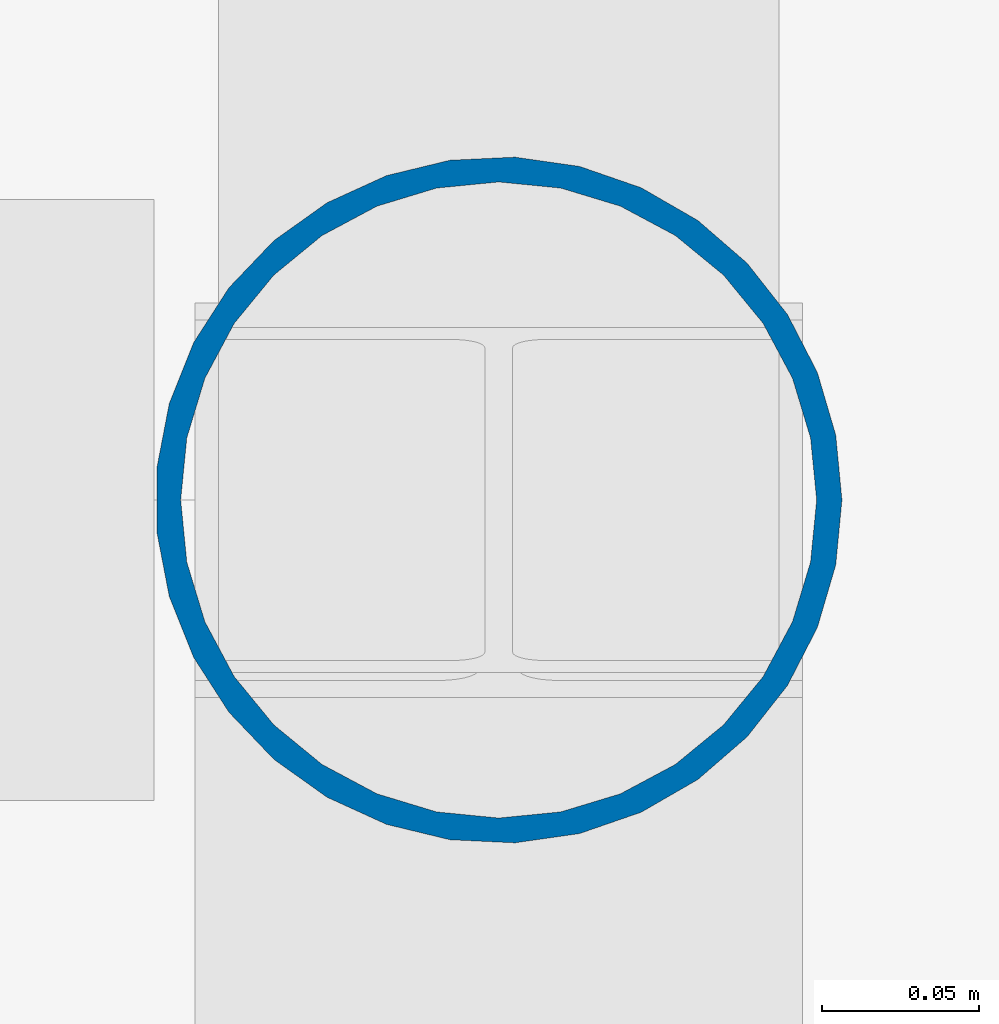
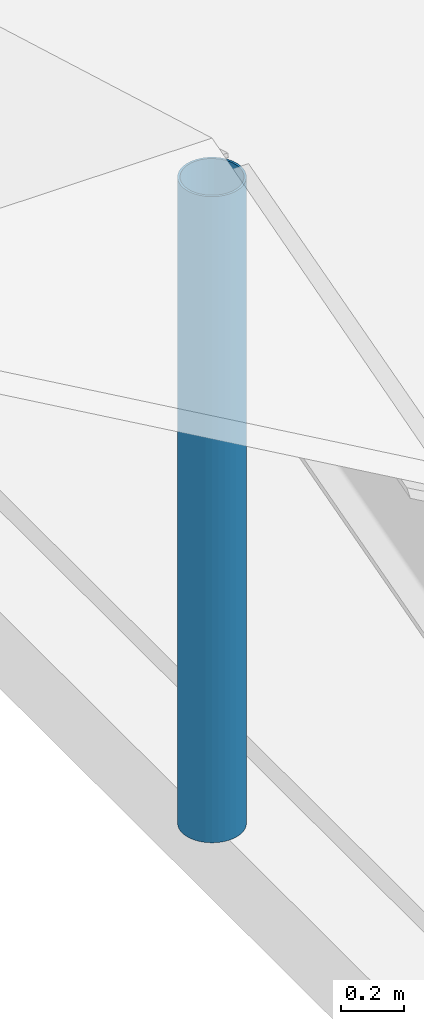
# One storey, part 2 of 15: 1 column.
"""IFC4 building model written with IfcOpenShell, lengths in metres."""

import ifcopenshell
import ifcopenshell.guid

model = None  # the IFC model being written
_history = None  # IfcOwnerHistory: only IFC2X3 demands one
_inside = {}  # id of a spatial element -> (the spatial element, [elements in it])
_under = {}  # id of a project, library or spatial element -> (it, [spatial elements below it])
_declared = {}  # id of a project -> (the project, [libraries it declares])
_typed = {}  # id of a type object -> (the type object, [elements of that type])
_made_of = {}  # id of a material, layer set ... -> (it, [elements and type objects made of it])


def new_model(schema):
    """Start an empty IFC model of exactly this schema.

    Asked for "IFC4X3", IfcOpenShell would pick the latest addendum, in which some entities
    have other attributes; the version numbers below select the first issue.
    IFC2X3 requires an IfcOwnerHistory on every rooted entity: one is made here for all.
    """
    global model, _history
    if schema == "IFC4X3":
        model = ifcopenshell.file(schema_version=(4, 3, 0, 0))
    else:
        model = ifcopenshell.file(schema=schema)
    _inside.clear()
    _under.clear()
    _declared.clear()
    _typed.clear()
    _made_of.clear()
    _history = None
    if model.schema == "IFC2X3":
        org = make("IfcOrganization", Name="unknown")
        user = make(
            "IfcPersonAndOrganization",
            ThePerson=make("IfcPerson", FamilyName="unknown"),
            TheOrganization=org,
        )
        app = make(
            "IfcApplication",
            ApplicationDeveloper=org,
            Version="unknown",
            ApplicationFullName="unknown",
            ApplicationIdentifier="unknown",
        )
        _history = make(
            "IfcOwnerHistory",
            OwningUser=user,
            OwningApplication=app,
            ChangeAction="ADDED",
            CreationDate=0,
        )
    return model


def make(cls, **values):
    """One entity of the class cls with the attributes given. An attribute that is None is left unset."""
    return model.create_entity(
        cls, **{name: value for name, value in values.items() if value is not None}
    )


def rooted(cls, **values):
    """An entity with a GlobalId (a new one), such as an element, a storey or a relation."""
    return make(cls, GlobalId=ifcopenshell.guid.new(), OwnerHistory=_history, **values)


def si_unit(unit_type, name, prefix=None):
    """IfcSIUnit, for example si_unit("LENGTHUNIT", "METRE", prefix="MILLI")."""
    return make("IfcSIUnit", UnitType=unit_type, Prefix=prefix, Name=name)


def assignment(units):
    """IfcUnitAssignment: the units of a project."""
    return None if units is None else make("IfcUnitAssignment", Units=units)


def point(xyz):
    """IfcCartesianPoint."""
    return None if xyz is None else make("IfcCartesianPoint", Coordinates=xyz)


def direction(xyz):
    """IfcDirection."""
    return None if xyz is None else make("IfcDirection", DirectionRatios=xyz)


def frame(location, z_axis=None, x_axis=None):
    """IfcAxis2Placement3D, a coordinate frame: its origin and axes. An axis left out is left unset."""
    return make(
        "IfcAxis2Placement3D",
        Location=point(location),
        Axis=direction(z_axis),
        RefDirection=direction(x_axis),
    )


def frame_2d(location, x_axis=None):
    """IfcAxis2Placement2D, a coordinate frame in the plane: its origin and x axis."""
    return make(
        "IfcAxis2Placement2D", Location=point(location), RefDirection=direction(x_axis)
    )


def origin():
    """The frame at (0, 0, 0) with its axes left unset."""
    return frame((0.0, 0.0, 0.0))


def origin_2d():
    """The frame at (0, 0) in the plane with its x axis left unset."""
    return frame_2d((0.0, 0.0))


def place(relative_to, where):
    """IfcLocalPlacement: puts the frame where relative to a parent placement (None: the world)."""
    return make(
        "IfcLocalPlacement", PlacementRelTo=relative_to, RelativePlacement=where
    )


def context(
    kind, dimensions, precision=None, world=None, true_north=None, identifier=None
):
    """IfcGeometricRepresentationContext, for example the 3D "Model" context."""
    return make(
        "IfcGeometricRepresentationContext",
        ContextIdentifier=identifier,
        ContextType=kind,
        CoordinateSpaceDimension=dimensions,
        Precision=precision,
        WorldCoordinateSystem=world,
        TrueNorth=true_north,
    )


def subcontext(parent, identifier, kind, view, scale=None):
    """IfcGeometricRepresentationSubContext, for example "Body" below "Model"."""
    return make(
        "IfcGeometricRepresentationSubContext",
        ContextIdentifier=identifier,
        ContextType=kind,
        ParentContext=parent,
        TargetScale=scale,
        TargetView=view,
    )


def project(units=None, contexts=None):
    """IfcProject with its units and contexts."""
    return rooted(
        "IfcProject",
        Name="project",
        RepresentationContexts=contexts,
        UnitsInContext=assignment(units),
    )


def spatial(cls, under=None, at=None, **own):
    """A site, building, storey or space (cls), placed at a placement, below another one or the project."""
    s = rooted(cls, ObjectPlacement=at, **own)
    if under is not None:
        _under.setdefault(under.id(), (under, []))[1].append(s)
    return s


def profile(cls, at=None, kind="AREA", **sizes):
    """A parametric profile (cls). Its sizes go by their IFC names, for example OverallWidth=200.0."""
    return make(cls, ProfileType=kind, Position=at, **sizes)


def hollow_circle(**sizes):
    """IfcCircleHollowProfileDef."""
    return profile("IfcCircleHollowProfileDef", **sizes)


def extrude(swept, where, along, depth):
    """IfcExtrudedAreaSolid: the profile swept, set in the frame where, extruded along a direction by depth."""
    return make(
        "IfcExtrudedAreaSolid",
        SweptArea=swept,
        Position=where,
        ExtrudedDirection=direction(along),
        Depth=depth,
    )


def shape(context_of_items, identifier, shape_type, items):
    """IfcShapeRepresentation: the items that make up one representation, for example the "Body"."""
    return make(
        "IfcShapeRepresentation",
        ContextOfItems=context_of_items,
        RepresentationIdentifier=identifier,
        RepresentationType=shape_type,
        Items=items,
    )


def material(Name=None, Category=None):
    """IfcMaterial."""
    return make("IfcMaterial", Name=Name, Category=Category)


def material_profile(
    of_material, cross_section, Name=None, Category=None, Priority=None
):
    """IfcMaterialProfile: a cross section and its material."""
    return make(
        "IfcMaterialProfile",
        Name=Name,
        Material=of_material,
        Profile=cross_section,
        Priority=Priority,
        Category=Category,
    )


def profile_set(profiles, Name=None, composite=None):
    """IfcMaterialProfileSet."""
    return make(
        "IfcMaterialProfileSet",
        Name=Name,
        MaterialProfiles=profiles,
        CompositeProfile=composite,
    )


def made_of(thing, what):
    """Note that an element or type object is made of a material, layer set ...; save() writes the relation."""
    if what is not None:
        _made_of.setdefault(what.id(), (what, []))[1].append(thing)
    return thing


def type_object(cls, material=None, **own):
    """A type object (cls), such as IfcWallType, which elements share."""
    return made_of(rooted(cls, **own), material)


def element(
    cls,
    number,
    at=None,
    inside=None,
    cuts=None,
    type_object=None,
    material=None,
    context=None,
    identifier="Body",
    shape_type=None,
    held_by="IfcProductDefinitionShape",
    body=None,
    shapes=None,
    **own,
):
    """One element of the class cls, such as IfcWall. Its Tag is "e" and its number.

    at: its placement. inside: the storey or other place that contains it. cuts: it is an
    opening in that element (IfcRelVoidsElement). A single representation is given by context,
    identifier, shape_type and body (its items); several are given by shapes. held_by: the class
    of the entity that holds the representations. save() writes the other relations.
    """
    e = rooted(cls, Tag="e%d" % number, ObjectPlacement=at, **own)
    if body is not None:
        shapes = [shape(context, identifier, shape_type, body)]
    if shapes is not None:
        e.Representation = make(held_by, Representations=shapes)
    if inside is not None:
        _inside.setdefault(inside.id(), (inside, []))[1].append(e)
    if cuts is not None:
        rooted(
            "IfcRelVoidsElement", RelatingBuildingElement=cuts, RelatedOpeningElement=e
        )
    if type_object is not None:
        _typed.setdefault(type_object.id(), (type_object, []))[1].append(e)
    return made_of(e, material)


def aggregate(whole, parts):
    """IfcRelAggregates: a whole, such as a stair, and the parts it consists of."""
    return rooted("IfcRelAggregates", RelatingObject=whole, RelatedObjects=parts)


def save(model, path):
    """Write the relations noted so far, then the file.

    IfcRelAggregates (storeys below a building ...), IfcRelContainedInSpatialStructure (elements
    in a storey), IfcRelDefinesByType, IfcRelAssociatesMaterial and IfcRelDeclares: one each for
    every whole, place, type object, material and project.
    """
    for whole, parts in _under.values():
        aggregate(whole, parts)
    for where, things in _inside.values():
        rooted(
            "IfcRelContainedInSpatialStructure",
            RelatedElements=things,
            RelatingStructure=where,
        )
    for kind, things in _typed.values():
        rooted("IfcRelDefinesByType", RelatedObjects=things, RelatingType=kind)
    for what, things in _made_of.values():
        rooted("IfcRelAssociatesMaterial", RelatedObjects=things, RelatingMaterial=what)
    for by, libraries in _declared.values():
        rooted("IfcRelDeclares", RelatingContext=by, RelatedDefinitions=libraries)
    model.write(path)


model = new_model("IFC4")

# Units and contexts
model_context = context("Model", 3, precision=1e-05, world=origin(), true_north=direction((0.0, 1.0)))
body_context = subcontext(model_context, "Body", "Model", "MODEL_VIEW")
ifc_project = project(units=[si_unit("LENGTHUNIT", "METRE"), si_unit("AREAUNIT", "SQUARE_METRE"), si_unit("VOLUMEUNIT", "CUBIC_METRE"), si_unit("PLANEANGLEUNIT", "RADIAN"), si_unit("MASSUNIT", "GRAM", prefix="KILO")], contexts=[model_context])

# Site, building, storey
site_placement = place(None, origin())
site = spatial("IfcSite", under=ifc_project, at=site_placement, CompositionType="ELEMENT")
building_placement = place(site_placement, origin())
building = spatial("IfcBuilding", under=site, at=building_placement, Name="Cendralis Terraced Arcade", CompositionType="ELEMENT")
storey_placement = place(building_placement, frame((0.0, 0.0, 34.199951171875)))
storey = spatial("IfcBuildingStorey", under=building, at=storey_placement, Name="RF", CompositionType="ELEMENT", Elevation=34.199951171875)

# Column
ifc_material = material(Name="Steel ASTM A572 Grade 50", Category="steel")
ifc_material_profile = material_profile(ifc_material, hollow_circle(Radius=0.109619140625, WallThickness=0.008056640625, at=origin_2d()), Name="CHS219X8", Category="LoadBearing")
ifc_profile_set = profile_set([ifc_material_profile], Name="Steel ASTM A572 Grade 50")
column_type = type_object("IfcColumnType", Name="COL-STL-CHS219", PredefinedType="COLUMN", material=ifc_profile_set)
column_placement = place(storey_placement, frame((48.0, 28.800048828125, 0.0), z_axis=(0.0, 0.0, 1.0), x_axis=(1.0, 0.0, 0.0)))
element("IfcColumn", 1, at=column_placement, inside=storey, type_object=column_type, Name="Atrium Skylight Ridge Post 6", PredefinedType="COLUMN", context=body_context, shape_type="SweptSolid", body=[
    extrude(hollow_circle(Radius=0.109619140625, WallThickness=0.008056640625, at=origin_2d()), origin(), (0.0, 0.0, 1.0), 2.5),
])

save(model, "model.ifc")
